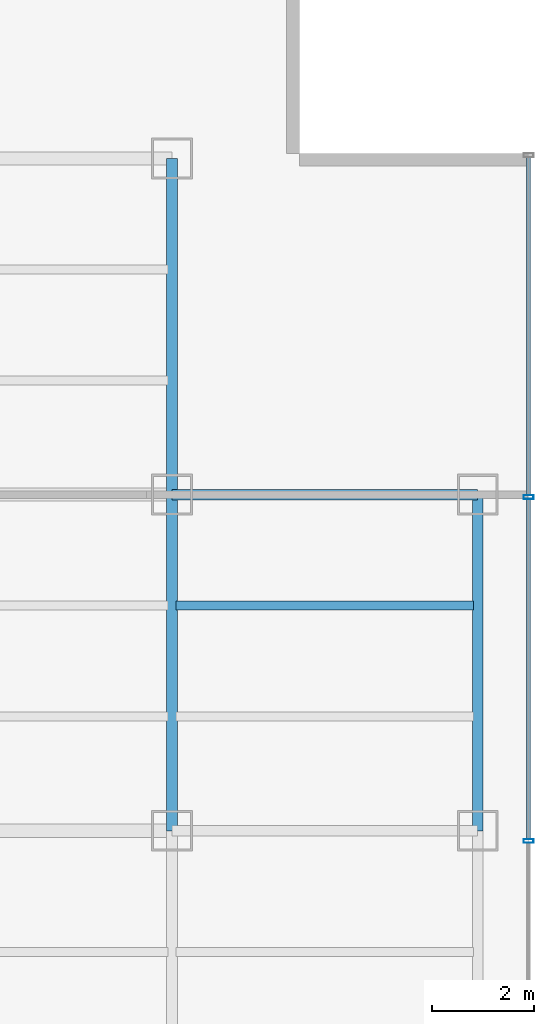
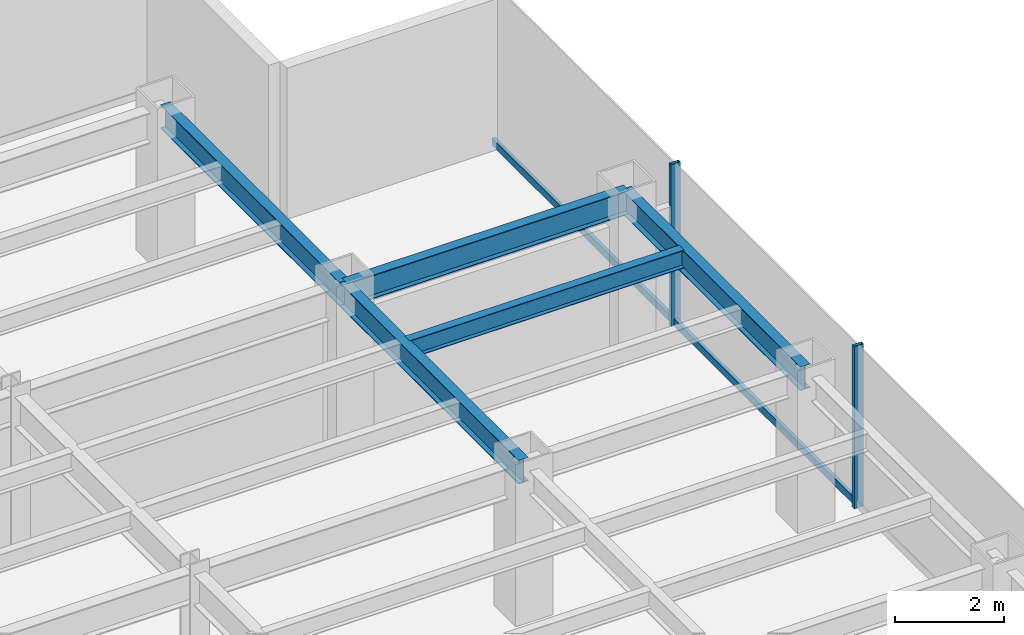
# One storey, part 12 of 26: 5 beams, 4 members, 1 element without a shape of its own.
"""IFC4 building model written with IfcOpenShell, lengths in metres."""

import ifcopenshell
import ifcopenshell.guid

model = None  # the IFC model being written
_history = None  # IfcOwnerHistory: only IFC2X3 demands one
_inside = {}  # id of a spatial element -> (the spatial element, [elements in it])
_under = {}  # id of a project, library or spatial element -> (it, [spatial elements below it])
_declared = {}  # id of a project -> (the project, [libraries it declares])
_typed = {}  # id of a type object -> (the type object, [elements of that type])
_made_of = {}  # id of a material, layer set ... -> (it, [elements and type objects made of it])


def new_model(schema):
    """Start an empty IFC model of exactly this schema.

    Asked for "IFC4X3", IfcOpenShell would pick the latest addendum, in which some entities
    have other attributes; the version numbers below select the first issue.
    IFC2X3 requires an IfcOwnerHistory on every rooted entity: one is made here for all.
    """
    global model, _history
    if schema == "IFC4X3":
        model = ifcopenshell.file(schema_version=(4, 3, 0, 0))
    else:
        model = ifcopenshell.file(schema=schema)
    _inside.clear()
    _under.clear()
    _declared.clear()
    _typed.clear()
    _made_of.clear()
    _history = None
    if model.schema == "IFC2X3":
        org = make("IfcOrganization", Name="unknown")
        user = make(
            "IfcPersonAndOrganization",
            ThePerson=make("IfcPerson", FamilyName="unknown"),
            TheOrganization=org,
        )
        app = make(
            "IfcApplication",
            ApplicationDeveloper=org,
            Version="unknown",
            ApplicationFullName="unknown",
            ApplicationIdentifier="unknown",
        )
        _history = make(
            "IfcOwnerHistory",
            OwningUser=user,
            OwningApplication=app,
            ChangeAction="ADDED",
            CreationDate=0,
        )
    return model


def make(cls, **values):
    """One entity of the class cls with the attributes given. An attribute that is None is left unset."""
    return model.create_entity(
        cls, **{name: value for name, value in values.items() if value is not None}
    )


def rooted(cls, **values):
    """An entity with a GlobalId (a new one), such as an element, a storey or a relation."""
    return make(cls, GlobalId=ifcopenshell.guid.new(), OwnerHistory=_history, **values)


def si_unit(unit_type, name, prefix=None):
    """IfcSIUnit, for example si_unit("LENGTHUNIT", "METRE", prefix="MILLI")."""
    return make("IfcSIUnit", UnitType=unit_type, Prefix=prefix, Name=name)


def derived_unit(unit_type, elements):
    """IfcDerivedUnit: a product of units, each with its exponent."""
    return make(
        "IfcDerivedUnit",
        Elements=[
            make("IfcDerivedUnitElement", Unit=unit, Exponent=power)
            for unit, power in elements
        ],
        UnitType=unit_type,
    )


def assignment(units):
    """IfcUnitAssignment: the units of a project."""
    return None if units is None else make("IfcUnitAssignment", Units=units)


def point(xyz):
    """IfcCartesianPoint."""
    return None if xyz is None else make("IfcCartesianPoint", Coordinates=xyz)


def direction(xyz):
    """IfcDirection."""
    return None if xyz is None else make("IfcDirection", DirectionRatios=xyz)


def frame(location, z_axis=None, x_axis=None):
    """IfcAxis2Placement3D, a coordinate frame: its origin and axes. An axis left out is left unset."""
    return make(
        "IfcAxis2Placement3D",
        Location=point(location),
        Axis=direction(z_axis),
        RefDirection=direction(x_axis),
    )


def frame_2d(location, x_axis=None):
    """IfcAxis2Placement2D, a coordinate frame in the plane: its origin and x axis."""
    return make(
        "IfcAxis2Placement2D", Location=point(location), RefDirection=direction(x_axis)
    )


def origin():
    """The frame at (0, 0, 0) with its axes left unset."""
    return frame((0.0, 0.0, 0.0))


def origin_2d():
    """The frame at (0, 0) in the plane with its x axis left unset."""
    return frame_2d((0.0, 0.0))


def place(relative_to, where):
    """IfcLocalPlacement: puts the frame where relative to a parent placement (None: the world)."""
    return make(
        "IfcLocalPlacement", PlacementRelTo=relative_to, RelativePlacement=where
    )


def context(
    kind, dimensions, precision=None, world=None, true_north=None, identifier=None
):
    """IfcGeometricRepresentationContext, for example the 3D "Model" context."""
    return make(
        "IfcGeometricRepresentationContext",
        ContextIdentifier=identifier,
        ContextType=kind,
        CoordinateSpaceDimension=dimensions,
        Precision=precision,
        WorldCoordinateSystem=world,
        TrueNorth=true_north,
    )


def subcontext(parent, identifier, kind, view, scale=None):
    """IfcGeometricRepresentationSubContext, for example "Body" below "Model"."""
    return make(
        "IfcGeometricRepresentationSubContext",
        ContextIdentifier=identifier,
        ContextType=kind,
        ParentContext=parent,
        TargetScale=scale,
        TargetView=view,
    )


def project(units=None, contexts=None):
    """IfcProject with its units and contexts."""
    return rooted(
        "IfcProject",
        Name="project",
        RepresentationContexts=contexts,
        UnitsInContext=assignment(units),
    )


def spatial(cls, under=None, at=None, **own):
    """A site, building, storey or space (cls), placed at a placement, below another one or the project."""
    s = rooted(cls, ObjectPlacement=at, **own)
    if under is not None:
        _under.setdefault(under.id(), (under, []))[1].append(s)
    return s


def profile(cls, at=None, kind="AREA", **sizes):
    """A parametric profile (cls). Its sizes go by their IFC names, for example OverallWidth=200.0."""
    return make(cls, ProfileType=kind, Position=at, **sizes)


def hollow_rectangle(**sizes):
    """IfcRectangleHollowProfileDef."""
    return profile("IfcRectangleHollowProfileDef", **sizes)


def i_section(**sizes):
    """IfcIShapeProfileDef."""
    return profile("IfcIShapeProfileDef", **sizes)


def extrude(swept, where, along, depth):
    """IfcExtrudedAreaSolid: the profile swept, set in the frame where, extruded along a direction by depth."""
    return make(
        "IfcExtrudedAreaSolid",
        SweptArea=swept,
        Position=where,
        ExtrudedDirection=direction(along),
        Depth=depth,
    )


def shape(context_of_items, identifier, shape_type, items):
    """IfcShapeRepresentation: the items that make up one representation, for example the "Body"."""
    return make(
        "IfcShapeRepresentation",
        ContextOfItems=context_of_items,
        RepresentationIdentifier=identifier,
        RepresentationType=shape_type,
        Items=items,
    )


def source(mapping_origin, context_of_items, identifier, shape_type, items):
    """IfcRepresentationMap: a shape defined once, which mapped items show again and again."""
    return make(
        "IfcRepresentationMap",
        MappingOrigin=mapping_origin,
        MappedRepresentation=shape(context_of_items, identifier, shape_type, items),
    )


def transform(
    local_origin,
    x_axis=None,
    y_axis=None,
    z_axis=None,
    scale=None,
    scale2=None,
    scale3=None,
    uniform=True,
):
    """IfcCartesianTransformationOperator3D, or its non-uniform kind. x_axis, y_axis, z_axis: its Axis1, 2, 3."""
    if uniform:
        return make(
            "IfcCartesianTransformationOperator3D",
            Axis1=direction(x_axis),
            Axis2=direction(y_axis),
            LocalOrigin=point(local_origin),
            Scale=scale,
            Axis3=direction(z_axis),
        )
    return make(
        "IfcCartesianTransformationOperator3DnonUniform",
        Axis1=direction(x_axis),
        Axis2=direction(y_axis),
        LocalOrigin=point(local_origin),
        Scale=scale,
        Axis3=direction(z_axis),
        Scale2=scale2,
        Scale3=scale3,
    )


def mapped(mapping_source, mapping_target):
    """IfcMappedItem: shows the shape of a source again, moved by a transform."""
    return make(
        "IfcMappedItem", MappingSource=mapping_source, MappingTarget=mapping_target
    )


def material(Name=None, Category=None):
    """IfcMaterial."""
    return make("IfcMaterial", Name=Name, Category=Category)


def material_profile(
    of_material, cross_section, Name=None, Category=None, Priority=None
):
    """IfcMaterialProfile: a cross section and its material."""
    return make(
        "IfcMaterialProfile",
        Name=Name,
        Material=of_material,
        Profile=cross_section,
        Priority=Priority,
        Category=Category,
    )


def profile_set(profiles, Name=None, composite=None):
    """IfcMaterialProfileSet."""
    return make(
        "IfcMaterialProfileSet",
        Name=Name,
        MaterialProfiles=profiles,
        CompositeProfile=composite,
    )


def made_of(thing, what):
    """Note that an element or type object is made of a material, layer set ...; save() writes the relation."""
    if what is not None:
        _made_of.setdefault(what.id(), (what, []))[1].append(thing)
    return thing


def type_object(cls, material=None, **own):
    """A type object (cls), such as IfcWallType, which elements share."""
    return made_of(rooted(cls, **own), material)


def element(
    cls,
    number,
    at=None,
    inside=None,
    cuts=None,
    type_object=None,
    material=None,
    context=None,
    identifier="Body",
    shape_type=None,
    held_by="IfcProductDefinitionShape",
    body=None,
    shapes=None,
    **own,
):
    """One element of the class cls, such as IfcWall. Its Tag is "e" and its number.

    at: its placement. inside: the storey or other place that contains it. cuts: it is an
    opening in that element (IfcRelVoidsElement). A single representation is given by context,
    identifier, shape_type and body (its items); several are given by shapes. held_by: the class
    of the entity that holds the representations. save() writes the other relations.
    """
    e = rooted(cls, Tag="e%d" % number, ObjectPlacement=at, **own)
    if body is not None:
        shapes = [shape(context, identifier, shape_type, body)]
    if shapes is not None:
        e.Representation = make(held_by, Representations=shapes)
    if inside is not None:
        _inside.setdefault(inside.id(), (inside, []))[1].append(e)
    if cuts is not None:
        rooted(
            "IfcRelVoidsElement", RelatingBuildingElement=cuts, RelatedOpeningElement=e
        )
    if type_object is not None:
        _typed.setdefault(type_object.id(), (type_object, []))[1].append(e)
    return made_of(e, material)


def aggregate(whole, parts):
    """IfcRelAggregates: a whole, such as a stair, and the parts it consists of."""
    return rooted("IfcRelAggregates", RelatingObject=whole, RelatedObjects=parts)


def save(model, path):
    """Write the relations noted so far, then the file.

    IfcRelAggregates (storeys below a building ...), IfcRelContainedInSpatialStructure (elements
    in a storey), IfcRelDefinesByType, IfcRelAssociatesMaterial and IfcRelDeclares: one each for
    every whole, place, type object, material and project.
    """
    for whole, parts in _under.values():
        aggregate(whole, parts)
    for where, things in _inside.values():
        rooted(
            "IfcRelContainedInSpatialStructure",
            RelatedElements=things,
            RelatingStructure=where,
        )
    for kind, things in _typed.values():
        rooted("IfcRelDefinesByType", RelatedObjects=things, RelatingType=kind)
    for what, things in _made_of.values():
        rooted("IfcRelAssociatesMaterial", RelatedObjects=things, RelatingMaterial=what)
    for by, libraries in _declared.values():
        rooted("IfcRelDeclares", RelatingContext=by, RelatedDefinitions=libraries)
    model.write(path)


model = new_model("IFC4")

# Units and contexts
model_context = context("Model", 3, precision=1e-05, world=origin(), true_north=direction((0.0, 1.0)))
body_context = subcontext(model_context, "Body", "Model", "MODEL_VIEW")
ifc_project = project(units=[si_unit("LENGTHUNIT", "METRE"), si_unit("AREAUNIT", "SQUARE_METRE"), si_unit("VOLUMEUNIT", "CUBIC_METRE"), si_unit("PLANEANGLEUNIT", "RADIAN"), si_unit("MASSUNIT", "GRAM", prefix="KILO"), derived_unit("THERMALTRANSMITTANCEUNIT", [(si_unit("POWERUNIT", "WATT"), 1), (si_unit("LENGTHUNIT", "METRE"), -2), (si_unit("THERMODYNAMICTEMPERATUREUNIT", "KELVIN"), -1)])], contexts=[model_context])

# Site, building, storey
site_placement = place(None, origin())
site = spatial("IfcSite", under=ifc_project, at=site_placement, CompositionType="ELEMENT")
building_placement = place(site_placement, origin())
building = spatial("IfcBuilding", under=site, at=building_placement, Name="Skarnbrae Concourse Arena and Tower", CompositionType="ELEMENT")
storey_placement = place(building_placement, frame((0.0, 0.0, 128.800048828125)))
storey = spatial("IfcBuildingStorey", under=building, at=storey_placement, Name="L32", CompositionType="ELEMENT", Elevation=128.800048828125)

# Beams
ifc_material_1 = material(Name="Steel CSA G40.21 350W", Category="steel")
ifc_material_profile_1 = material_profile(ifc_material_1, i_section(OverallWidth=0.208984375, OverallDepth=0.532958984375, WebThickness=0.01025390625, FlangeThickness=0.015625, at=origin_2d()), Name="W530X92")
ifc_profile_set_1 = profile_set([ifc_material_profile_1], Name="Steel CSA G40.21 350W")
beam_type_1 = type_object("IfcBeamType", Name="BM-SPAN-W530X92", PredefinedType="SPANDREL", material=ifc_profile_set_1)
shared_shape_1 = source(origin(), body_context, "Body", "SweptSolid", [
    extrude(i_section(OverallWidth=0.208984375, OverallDepth=0.532958984375, WebThickness=0.01025390625, FlangeThickness=0.015625, at=origin_2d()), origin(), (0.0, 0.0, 1.0), 6.0),
])
beam_1_placement = place(storey_placement, frame((49.0, 27.800048828125, 3.133544921875), z_axis=(1.0, 0.0, 0.0), x_axis=(0.0, 1.0, 0.0)))
element("IfcBeam", 1, at=beam_1_placement, inside=storey, type_object=beam_type_1, Name="L32 Perimeter spandrel Y27.8-8", PredefinedType="SPANDREL", context=body_context, shape_type="MappedRepresentation", body=[
    mapped(shared_shape_1, transform((0.0, 0.0, 0.0))),
])
shared_shape_2 = source(origin(), body_context, "Body", "SweptSolid", [
    extrude(i_section(OverallWidth=0.208984375, OverallDepth=0.532958984375, WebThickness=0.01025390625, FlangeThickness=0.015625, at=origin_2d()), origin(), (0.0, 0.0, 1.0), 6.60009765625),
])
for number, where, z_axis, x_axis, name in (
    (2, (49.0, 21.199951171875, 3.133544921875), (0.0, 1.0, 0.0), (-1.0, 0.0, 0.0), "L32 Perimeter spandrel X49.0-3"),
    (3, (55.0, 21.199951171875, 3.133544921875), (0.0, 1.0, 0.0), (-1.0, 0.0, 0.0), "L32 Perimeter spandrel X55.0-3"),
):
    element("IfcBeam", number, at=place(storey_placement, frame(where, z_axis=z_axis, x_axis=x_axis)), inside=storey, type_object=beam_type_1, Name=name, PredefinedType="SPANDREL", context=body_context, shape_type="MappedRepresentation", body=[
        mapped(shared_shape_2, transform((0.0, 0.0, 0.0))),
    ])
shared_shape_3 = source(origin(), body_context, "Body", "SweptSolid", [
    extrude(i_section(OverallWidth=0.208984375, OverallDepth=0.532958984375, WebThickness=0.01025390625, FlangeThickness=0.015625, at=origin_2d()), origin(), (0.0, 0.0, 1.0), 6.599853515625),
])
beam_2_placement = place(storey_placement, frame((49.0, 27.800048828125, 3.133544921875), z_axis=(0.0, 1.0, 0.0), x_axis=(-1.0, 0.0, 0.0)))
element("IfcBeam", 4, at=beam_2_placement, inside=storey, type_object=beam_type_1, Name="L32 Perimeter spandrel X49.0-4", PredefinedType="SPANDREL", context=body_context, shape_type="MappedRepresentation", body=[
    mapped(shared_shape_3, transform((0.0, 0.0, 0.0))),
])
ifc_material_profile_2 = material_profile(ifc_material_1, i_section(OverallWidth=0.177978515625, OverallDepth=0.406982421875, WebThickness=0.0078125, FlangeThickness=0.0126953125, at=origin_2d()), Name="W410X60")
ifc_profile_set_2 = profile_set([ifc_material_profile_2], Name="Steel CSA G40.21 350W")
beam_type_2 = type_object("IfcBeamType", Name="BM-JOIST-W410X60", PredefinedType="JOIST", material=ifc_profile_set_2)
shared_shape_4 = source(origin(), body_context, "Body", "SweptSolid", [
    extrude(i_section(OverallWidth=0.177978515625, OverallDepth=0.406982421875, WebThickness=0.0078125, FlangeThickness=0.0126953125, at=origin_2d()), origin(), (0.0, 0.0, 1.0), 5.83984375),
])
beam_3_placement = place(storey_placement, frame((49.080078125, 25.6220703125, 3.196533203125), z_axis=(1.0, 0.0, 0.0), x_axis=(0.0, 1.0, 0.0)))
element("IfcBeam", 5, at=beam_3_placement, inside=storey, type_object=beam_type_2, Name="L32 Secondary floor joist 2.2.8", PredefinedType="JOIST", context=body_context, shape_type="MappedRepresentation", body=[
    mapped(shared_shape_4, transform((0.0, 0.0, 0.0))),
])

# Curtain wall, members
ifc_material_2 = material(Name="Bronze anodised aluminium 6063-T6", Category="aluminium")
curtain_wall_type = type_object("IfcCurtainWallType", Name="CW-SYS-04-MIDZONE", PredefinedType="USERDEFINED", material=ifc_material_2)
curtain_wall_placement = place(storey_placement, origin())
curtain_wall = element("IfcCurtainWall", 6, at=curtain_wall_placement, inside=storey, type_object=curtain_wall_type, Name="L32 Unitised curtain wall CW-L32-E04", ObjectType="UNITISED CURTAIN WALL", PredefinedType="USERDEFINED")
ifc_material_profile_3 = material_profile(ifc_material_2, hollow_rectangle(XDim=0.074951171875, YDim=0.195068359375, WallThickness=0.00439453125, at=origin_2d()), Name="ALU-MULL-75X195")
ifc_profile_set_3 = profile_set([ifc_material_profile_3], Name="Bronze anodised aluminium 6063-T6")
member_type_1 = type_object("IfcMemberType", Name="CWM-CW-04", PredefinedType="MULLION", material=ifc_profile_set_3)
shared_shape_5 = source(origin(), body_context, "Body", "SweptSolid", [
    extrude(hollow_rectangle(XDim=0.074951171875, YDim=0.195068359375, WallThickness=0.00439453125, at=origin_2d()), origin(), (0.0, 0.0, 1.0), 3.64990234375),
])
member_1_placement = place(storey_placement, frame((56.0, 21.0, 0.0), z_axis=(0.0, 0.0, 1.0), x_axis=(0.0, 1.0, 0.0)))
member_1 = element("IfcMember", 7, at=member_1_placement, type_object=member_type_1, Name="CW-L32-E04 Mullion 3", PredefinedType="MULLION", context=body_context, shape_type="MappedRepresentation", body=[
    mapped(shared_shape_5, transform((0.0, 0.0, 0.0))),
])
member_2_placement = place(storey_placement, frame((56.0, 27.75, 0.0), z_axis=(0.0, 0.0, 1.0), x_axis=(0.0, 1.0, 0.0)))
member_2 = element("IfcMember", 8, at=member_2_placement, type_object=member_type_1, Name="CW-L32-E04 Mullion 4", PredefinedType="MULLION", context=body_context, shape_type="MappedRepresentation", body=[
    mapped(shared_shape_5, transform((0.0, 0.0, 0.0))),
])
ifc_material_profile_4 = material_profile(ifc_material_2, hollow_rectangle(XDim=0.074951171875, YDim=0.159912109375, WallThickness=0.00439453125, at=origin_2d()), Name="ALU-TRAN-75X160")
ifc_profile_set_4 = profile_set([ifc_material_profile_4], Name="Bronze anodised aluminium 6063-T6")
member_type_2 = type_object("IfcMemberType", Name="CWT-CW-04", PredefinedType="USERDEFINED", material=ifc_profile_set_4)
shared_shape_6 = source(origin(), body_context, "Body", "SweptSolid", [
    extrude(hollow_rectangle(XDim=0.074951171875, YDim=0.159912109375, WallThickness=0.00439453125, at=origin_2d()), origin(), (0.0, 0.0, 1.0), 6.637451171875),
])
member_3_placement = place(storey_placement, frame((56.0, 27.78759765625, 0.079833984375), z_axis=(0.0, 1.0, 0.0), x_axis=(-1.0, 0.0, 0.0)))
member_3 = element("IfcMember", 9, at=member_3_placement, type_object=member_type_2, Name="CW-L32-E04 Transom 4", ObjectType="TRANSOM", PredefinedType="USERDEFINED", context=body_context, shape_type="MappedRepresentation", body=[
    mapped(shared_shape_6, transform((0.0, 0.0, 0.0))),
])
shared_shape_7 = source(origin(), body_context, "Body", "SweptSolid", [
    extrude(hollow_rectangle(XDim=0.074951171875, YDim=0.159912109375, WallThickness=0.00439453125, at=origin_2d()), origin(), (0.0, 0.0, 1.0), 6.6748046875),
])
member_4_placement = place(storey_placement, frame((56.0, 21.03759765625, 0.079833984375), z_axis=(0.0, 1.0, 0.0), x_axis=(-1.0, 0.0, 0.0)))
member_4 = element("IfcMember", 10, at=member_4_placement, type_object=member_type_2, Name="CW-L32-E04 Transom 3", ObjectType="TRANSOM", PredefinedType="USERDEFINED", context=body_context, shape_type="MappedRepresentation", body=[
    mapped(shared_shape_7, transform((0.0, 0.0, 0.0))),
])
aggregate(curtain_wall, [member_1, member_2, member_4, member_3])

save(model, "model.ifc")
